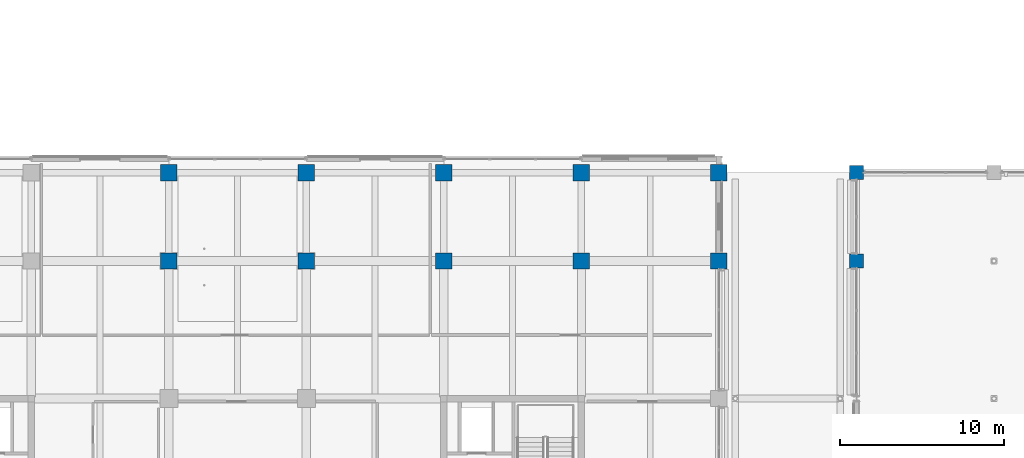
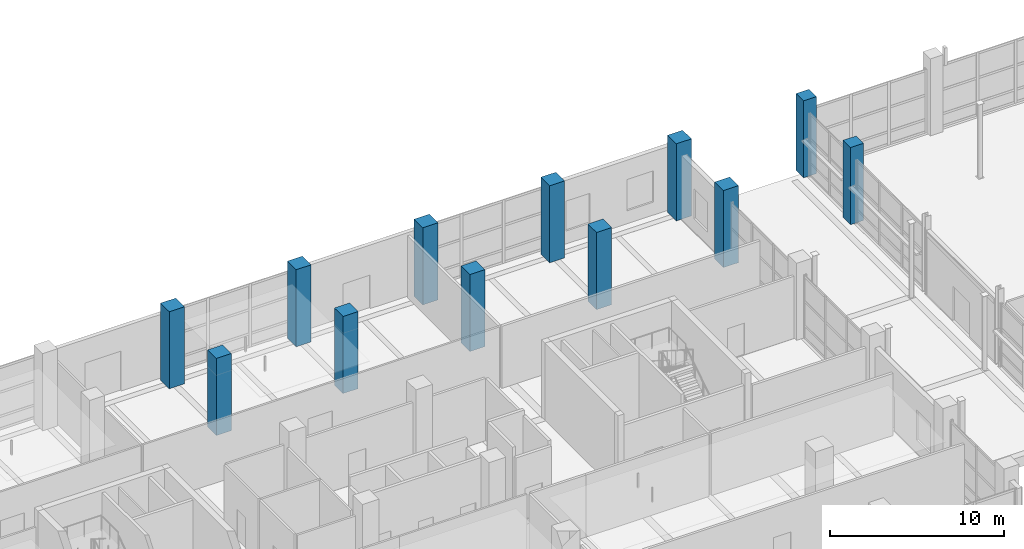
# One storey, part 9 of 140: 12 columns.
"""IFC4 building model written with IfcOpenShell, lengths in metres."""

from ifc_helpers import new_model, si_unit, direction, frame, origin, origin_2d, place, context, subcontext, project, spatial, rectangle, extrude, material, material_profile, profile_set, type_object, element, save


model = new_model("IFC4")

# Units and contexts
model_context = context("Model", 3, precision=1e-05, world=origin(), true_north=direction((0.0, 1.0)))
body_context = subcontext(model_context, "Body", "Model", "MODEL_VIEW")
ifc_project = project(units=[si_unit("LENGTHUNIT", "METRE"), si_unit("AREAUNIT", "SQUARE_METRE"), si_unit("VOLUMEUNIT", "CUBIC_METRE"), si_unit("PLANEANGLEUNIT", "RADIAN"), si_unit("MASSUNIT", "GRAM", prefix="KILO")], contexts=[model_context])

# Site, building, storey
site_placement = place(None, origin())
site = spatial("IfcSite", under=ifc_project, at=site_placement, CompositionType="ELEMENT")
building_placement = place(site_placement, origin())
building = spatial("IfcBuilding", under=site, at=building_placement, Name="Telukmera Botanical Conservatory", CompositionType="ELEMENT")
storey_placement = place(building_placement, origin())
storey = spatial("IfcBuildingStorey", under=building, at=storey_placement, Name="L00", CompositionType="ELEMENT", Elevation=0.0)

# Columns
ifc_material = material(Name="Concrete C50/60", Category="concrete")
ifc_material_profile_1 = material_profile(ifc_material, rectangle(XDim=1.0, YDim=1.0, at=origin_2d()), Name="RC 1000x1000")
ifc_profile_set_1 = profile_set([ifc_material_profile_1], Name="Concrete C50/60")
column_type_1 = type_object("IfcColumnType", Name="Col_C3", PredefinedType="COLUMN", material=ifc_profile_set_1)
for number, where, z_axis, x_axis, name in (
    (1, (75.60009765625, 42.800048828125, 0.0), (0.0, 0.0, 1.0), (1.0, 0.0, 0.0), "Column V4-L00 (75.6,42.8)"),
    (2, (75.60009765625, 48.199951171875, 0.0), (0.0, 0.0, 1.0), (1.0, 0.0, 0.0), "Column V4-L00 (75.6,48.2)"),
    (3, (84.0, 42.800048828125, 0.0), (0.0, 0.0, 1.0), (1.0, 0.0, 0.0), "Column V4-L00 (84.0,42.8)"),
    (4, (84.0, 48.199951171875, 0.0), (0.0, 0.0, 1.0), (1.0, 0.0, 0.0), "Column V4-L00 (84.0,48.2)"),
    (5, (92.39990234375, 42.800048828125, 0.0), (0.0, 0.0, 1.0), (1.0, 0.0, 0.0), "Column V4-L00 (92.4,42.8)"),
    (6, (92.39990234375, 48.199951171875, 0.0), (0.0, 0.0, 1.0), (1.0, 0.0, 0.0), "Column V4-L00 (92.4,48.2)"),
    (7, (100.800048828125, 42.800048828125, 0.0), (0.0, 0.0, 1.0), (1.0, 0.0, 0.0), "Column V4-L00 (100.8,42.8)"),
    (8, (100.800048828125, 48.199951171875, 0.0), (0.0, 0.0, 1.0), (1.0, 0.0, 0.0), "Column V4-L00 (100.8,48.2)"),
    (9, (109.199951171875, 42.800048828125, 0.0), (0.0, 0.0, 1.0), (1.0, 0.0, 0.0), "Column V4-L00 (109.2,42.8)"),
    (10, (109.199951171875, 48.199951171875, 0.0), (0.0, 0.0, 1.0), (1.0, 0.0, 0.0), "Column V4-L00 (109.2,48.2)"),
):
    element("IfcColumn", number, at=place(storey_placement, frame(where, z_axis=z_axis, x_axis=x_axis)), inside=storey, type_object=column_type_1, Name=name, PredefinedType="COLUMN", context=body_context, shape_type="SweptSolid", body=[
        extrude(rectangle(XDim=1.0, YDim=1.0, at=origin_2d()), origin(), (0.0, 0.0, 1.0), 5.39990234375),
    ])
ifc_material_profile_2 = material_profile(ifc_material, rectangle(XDim=0.85009765625, YDim=0.85009765625, at=origin_2d()), Name="RC 850x850")
ifc_profile_set_2 = profile_set([ifc_material_profile_2], Name="Concrete C50/60")
column_type_2 = type_object("IfcColumnType", Name="Col_C6", PredefinedType="COLUMN", material=ifc_profile_set_2)
for number, where, z_axis, x_axis, name in (
    (11, (117.60009765625, 42.800048828125, 0.0), (0.0, 0.0, 1.0), (1.0, 0.0, 0.0), "Column V1-L00 (117.6,42.8)"),
    (12, (117.60009765625, 48.199951171875, 0.0), (0.0, 0.0, 1.0), (1.0, 0.0, 0.0), "Column V1-L00 (117.6,48.2)"),
):
    element("IfcColumn", number, at=place(storey_placement, frame(where, z_axis=z_axis, x_axis=x_axis)), inside=storey, type_object=column_type_2, Name=name, PredefinedType="COLUMN", context=body_context, shape_type="SweptSolid", body=[
        extrude(rectangle(XDim=0.85009765625, YDim=0.85009765625, at=origin_2d()), origin(), (0.0, 0.0, 1.0), 5.39990234375),
    ])

save(model, "model.ifc")
